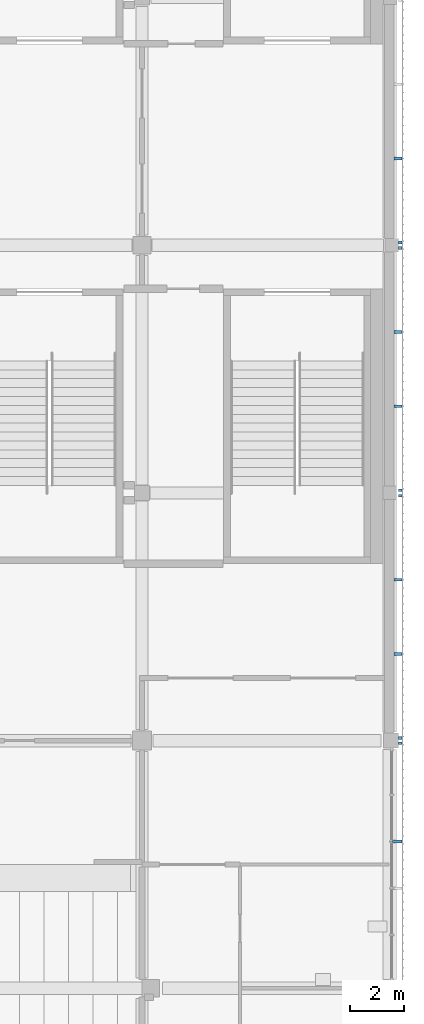
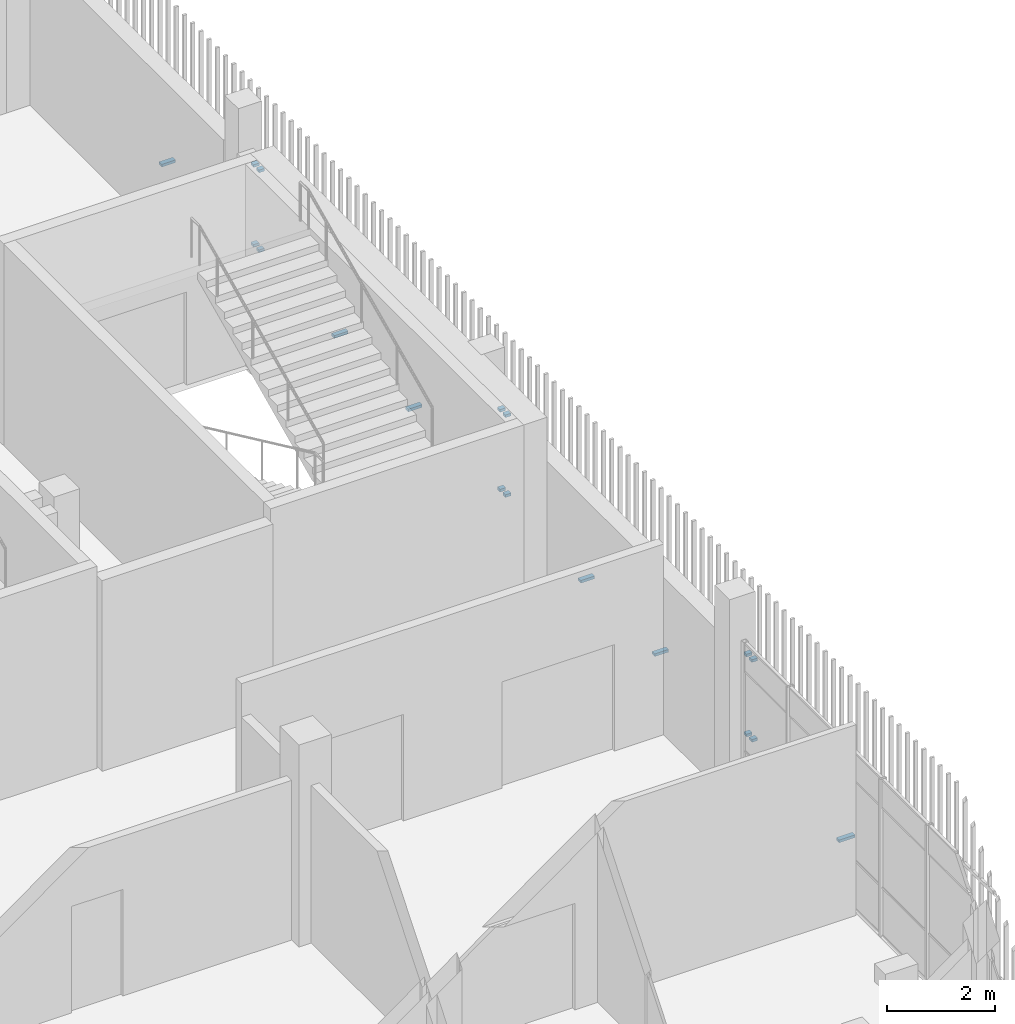
# One storey, part 111 of 139: 18 discrete accessories.
"""IFC4 building model written with IfcOpenShell, lengths in metres."""

import ifcopenshell
import ifcopenshell.guid

model = None  # the IFC model being written
_history = None  # IfcOwnerHistory: only IFC2X3 demands one
_inside = {}  # id of a spatial element -> (the spatial element, [elements in it])
_under = {}  # id of a project, library or spatial element -> (it, [spatial elements below it])
_declared = {}  # id of a project -> (the project, [libraries it declares])
_typed = {}  # id of a type object -> (the type object, [elements of that type])
_made_of = {}  # id of a material, layer set ... -> (it, [elements and type objects made of it])


def new_model(schema):
    """Start an empty IFC model of exactly this schema.

    Asked for "IFC4X3", IfcOpenShell would pick the latest addendum, in which some entities
    have other attributes; the version numbers below select the first issue.
    IFC2X3 requires an IfcOwnerHistory on every rooted entity: one is made here for all.
    """
    global model, _history
    if schema == "IFC4X3":
        model = ifcopenshell.file(schema_version=(4, 3, 0, 0))
    else:
        model = ifcopenshell.file(schema=schema)
    _inside.clear()
    _under.clear()
    _declared.clear()
    _typed.clear()
    _made_of.clear()
    _history = None
    if model.schema == "IFC2X3":
        org = make("IfcOrganization", Name="unknown")
        user = make(
            "IfcPersonAndOrganization",
            ThePerson=make("IfcPerson", FamilyName="unknown"),
            TheOrganization=org,
        )
        app = make(
            "IfcApplication",
            ApplicationDeveloper=org,
            Version="unknown",
            ApplicationFullName="unknown",
            ApplicationIdentifier="unknown",
        )
        _history = make(
            "IfcOwnerHistory",
            OwningUser=user,
            OwningApplication=app,
            ChangeAction="ADDED",
            CreationDate=0,
        )
    return model


def make(cls, **values):
    """One entity of the class cls with the attributes given. An attribute that is None is left unset."""
    return model.create_entity(
        cls, **{name: value for name, value in values.items() if value is not None}
    )


def rooted(cls, **values):
    """An entity with a GlobalId (a new one), such as an element, a storey or a relation."""
    return make(cls, GlobalId=ifcopenshell.guid.new(), OwnerHistory=_history, **values)


def si_unit(unit_type, name, prefix=None):
    """IfcSIUnit, for example si_unit("LENGTHUNIT", "METRE", prefix="MILLI")."""
    return make("IfcSIUnit", UnitType=unit_type, Prefix=prefix, Name=name)


def assignment(units):
    """IfcUnitAssignment: the units of a project."""
    return None if units is None else make("IfcUnitAssignment", Units=units)


def point(xyz):
    """IfcCartesianPoint."""
    return None if xyz is None else make("IfcCartesianPoint", Coordinates=xyz)


def direction(xyz):
    """IfcDirection."""
    return None if xyz is None else make("IfcDirection", DirectionRatios=xyz)


def frame(location, z_axis=None, x_axis=None):
    """IfcAxis2Placement3D, a coordinate frame: its origin and axes. An axis left out is left unset."""
    return make(
        "IfcAxis2Placement3D",
        Location=point(location),
        Axis=direction(z_axis),
        RefDirection=direction(x_axis),
    )


def frame_2d(location, x_axis=None):
    """IfcAxis2Placement2D, a coordinate frame in the plane: its origin and x axis."""
    return make(
        "IfcAxis2Placement2D", Location=point(location), RefDirection=direction(x_axis)
    )


def origin():
    """The frame at (0, 0, 0) with its axes left unset."""
    return frame((0.0, 0.0, 0.0))


def origin_2d():
    """The frame at (0, 0) in the plane with its x axis left unset."""
    return frame_2d((0.0, 0.0))


def place(relative_to, where):
    """IfcLocalPlacement: puts the frame where relative to a parent placement (None: the world)."""
    return make(
        "IfcLocalPlacement", PlacementRelTo=relative_to, RelativePlacement=where
    )


def context(
    kind, dimensions, precision=None, world=None, true_north=None, identifier=None
):
    """IfcGeometricRepresentationContext, for example the 3D "Model" context."""
    return make(
        "IfcGeometricRepresentationContext",
        ContextIdentifier=identifier,
        ContextType=kind,
        CoordinateSpaceDimension=dimensions,
        Precision=precision,
        WorldCoordinateSystem=world,
        TrueNorth=true_north,
    )


def subcontext(parent, identifier, kind, view, scale=None):
    """IfcGeometricRepresentationSubContext, for example "Body" below "Model"."""
    return make(
        "IfcGeometricRepresentationSubContext",
        ContextIdentifier=identifier,
        ContextType=kind,
        ParentContext=parent,
        TargetScale=scale,
        TargetView=view,
    )


def project(units=None, contexts=None):
    """IfcProject with its units and contexts."""
    return rooted(
        "IfcProject",
        Name="project",
        RepresentationContexts=contexts,
        UnitsInContext=assignment(units),
    )


def spatial(cls, under=None, at=None, **own):
    """A site, building, storey or space (cls), placed at a placement, below another one or the project."""
    s = rooted(cls, ObjectPlacement=at, **own)
    if under is not None:
        _under.setdefault(under.id(), (under, []))[1].append(s)
    return s


def profile(cls, at=None, kind="AREA", **sizes):
    """A parametric profile (cls). Its sizes go by their IFC names, for example OverallWidth=200.0."""
    return make(cls, ProfileType=kind, Position=at, **sizes)


def rectangle(**sizes):
    """IfcRectangleProfileDef."""
    return profile("IfcRectangleProfileDef", **sizes)


def extrude(swept, where, along, depth):
    """IfcExtrudedAreaSolid: the profile swept, set in the frame where, extruded along a direction by depth."""
    return make(
        "IfcExtrudedAreaSolid",
        SweptArea=swept,
        Position=where,
        ExtrudedDirection=direction(along),
        Depth=depth,
    )


def shape(context_of_items, identifier, shape_type, items):
    """IfcShapeRepresentation: the items that make up one representation, for example the "Body"."""
    return make(
        "IfcShapeRepresentation",
        ContextOfItems=context_of_items,
        RepresentationIdentifier=identifier,
        RepresentationType=shape_type,
        Items=items,
    )


def material(Name=None, Category=None):
    """IfcMaterial."""
    return make("IfcMaterial", Name=Name, Category=Category)


def made_of(thing, what):
    """Note that an element or type object is made of a material, layer set ...; save() writes the relation."""
    if what is not None:
        _made_of.setdefault(what.id(), (what, []))[1].append(thing)
    return thing


def type_object(cls, material=None, **own):
    """A type object (cls), such as IfcWallType, which elements share."""
    return made_of(rooted(cls, **own), material)


def element(
    cls,
    number,
    at=None,
    inside=None,
    cuts=None,
    type_object=None,
    material=None,
    context=None,
    identifier="Body",
    shape_type=None,
    held_by="IfcProductDefinitionShape",
    body=None,
    shapes=None,
    **own,
):
    """One element of the class cls, such as IfcWall. Its Tag is "e" and its number.

    at: its placement. inside: the storey or other place that contains it. cuts: it is an
    opening in that element (IfcRelVoidsElement). A single representation is given by context,
    identifier, shape_type and body (its items); several are given by shapes. held_by: the class
    of the entity that holds the representations. save() writes the other relations.
    """
    e = rooted(cls, Tag="e%d" % number, ObjectPlacement=at, **own)
    if body is not None:
        shapes = [shape(context, identifier, shape_type, body)]
    if shapes is not None:
        e.Representation = make(held_by, Representations=shapes)
    if inside is not None:
        _inside.setdefault(inside.id(), (inside, []))[1].append(e)
    if cuts is not None:
        rooted(
            "IfcRelVoidsElement", RelatingBuildingElement=cuts, RelatedOpeningElement=e
        )
    if type_object is not None:
        _typed.setdefault(type_object.id(), (type_object, []))[1].append(e)
    return made_of(e, material)


def aggregate(whole, parts):
    """IfcRelAggregates: a whole, such as a stair, and the parts it consists of."""
    return rooted("IfcRelAggregates", RelatingObject=whole, RelatedObjects=parts)


def save(model, path):
    """Write the relations noted so far, then the file.

    IfcRelAggregates (storeys below a building ...), IfcRelContainedInSpatialStructure (elements
    in a storey), IfcRelDefinesByType, IfcRelAssociatesMaterial and IfcRelDeclares: one each for
    every whole, place, type object, material and project.
    """
    for whole, parts in _under.values():
        aggregate(whole, parts)
    for where, things in _inside.values():
        rooted(
            "IfcRelContainedInSpatialStructure",
            RelatedElements=things,
            RelatingStructure=where,
        )
    for kind, things in _typed.values():
        rooted("IfcRelDefinesByType", RelatedObjects=things, RelatingType=kind)
    for what, things in _made_of.values():
        rooted("IfcRelAssociatesMaterial", RelatedObjects=things, RelatingMaterial=what)
    for by, libraries in _declared.values():
        rooted("IfcRelDeclares", RelatingContext=by, RelatedDefinitions=libraries)
    model.write(path)


model = new_model("IFC4")

# Units and contexts
model_context = context("Model", 3, precision=1e-05, world=origin(), true_north=direction((0.0, 1.0)))
body_context = subcontext(model_context, "Body", "Model", "MODEL_VIEW")
ifc_project = project(units=[si_unit("LENGTHUNIT", "METRE"), si_unit("AREAUNIT", "SQUARE_METRE"), si_unit("VOLUMEUNIT", "CUBIC_METRE"), si_unit("PLANEANGLEUNIT", "RADIAN"), si_unit("MASSUNIT", "GRAM", prefix="KILO")], contexts=[model_context])

# Site, building, storey
site_placement = place(None, origin())
site = spatial("IfcSite", under=ifc_project, at=site_placement, CompositionType="ELEMENT")
building_placement = place(site_placement, origin())
building = spatial("IfcBuilding", under=site, at=building_placement, Name="Shirokan Park Arena", CompositionType="ELEMENT")
storey_placement = place(building_placement, frame((0.0, 0.0, 15.469970703125)))
storey = spatial("IfcBuildingStorey", under=building, at=storey_placement, Name="L03", CompositionType="ELEMENT", Elevation=15.469970703125)

# Discrete accessories
ifc_material = material(Name="Steel S355", Category="steel")
discrete_accessory_type = type_object("IfcDiscreteAccessoryType", Name="Veil bracket 100x60", PredefinedType="BRACKET", material=ifc_material)
for number, where, z_axis, x_axis, name in (
    (1, (145.985107421875, 72.699951171875, 1.070068359375), (0.0, 0.0, 1.0), (0.0, 1.0, 0.0), "Veil bracket east bay 8 L03 2"),
    (2, (145.985107421875, 72.699951171875, 2.8701171875), (0.0, 0.0, 1.0), (0.0, 1.0, 0.0), "Veil bracket east bay 8 L03 4"),
):
    element("IfcDiscreteAccessory", number, at=place(storey_placement, frame(where, z_axis=z_axis, x_axis=x_axis)), inside=storey, type_object=discrete_accessory_type, Name=name, PredefinedType="BRACKET", context=body_context, shape_type="SweptSolid", body=[
        extrude(rectangle(XDim=0.10009765625, YDim=0.1201171875, at=origin_2d()), origin(), (0.0, 0.0, 1.0), 0.06005859375),
    ])
discrete_accessory_1_placement = place(storey_placement, frame((145.87255859375, 69.094970703125, 1.070068359375), z_axis=(0.0, 0.0, 1.0), x_axis=(0.0, 1.0, 0.0)))
element("IfcDiscreteAccessory", 3, at=discrete_accessory_1_placement, inside=storey, type_object=discrete_accessory_type, Name="Veil bracket east bay 8 L03 wall 2", PredefinedType="BRACKET", context=body_context, shape_type="SweptSolid", body=[
    extrude(rectangle(XDim=0.10009765625, YDim=0.344970703125, at=origin_2d()), origin(), (0.0, 0.0, 1.0), 0.06005859375),
])
for number, where, z_axis, x_axis, name in (
    (4, (145.985107421875, 72.89990234375, 1.070068359375), (0.0, 0.0, 1.0), (0.0, 1.0, 0.0), "Veil bracket east bay 9 L03 1"),
    (5, (145.985107421875, 81.800048828125, 1.070068359375), (0.0, 0.0, 1.0), (0.0, 1.0, 0.0), "Veil bracket east bay 9 L03 2"),
    (6, (145.985107421875, 72.89990234375, 2.8701171875), (0.0, 0.0, 1.0), (0.0, 1.0, 0.0), "Veil bracket east bay 9 L03 3"),
    (7, (145.985107421875, 81.800048828125, 2.8701171875), (0.0, 0.0, 1.0), (0.0, 1.0, 0.0), "Veil bracket east bay 9 L03 4"),
):
    element("IfcDiscreteAccessory", number, at=place(storey_placement, frame(where, z_axis=z_axis, x_axis=x_axis)), inside=storey, type_object=discrete_accessory_type, Name=name, PredefinedType="BRACKET", context=body_context, shape_type="SweptSolid", body=[
        extrude(rectangle(XDim=0.10009765625, YDim=0.1201171875, at=origin_2d()), origin(), (0.0, 0.0, 1.0), 0.06005859375),
    ])
for number, where, z_axis, x_axis, name in (
    (8, (145.8974609375, 75.985107421875, 1.070068359375), (0.0, 0.0, 1.0), (0.0, 1.0, 0.0), "Veil bracket east bay 9 L03 wall 1"),
    (9, (145.8974609375, 78.715087890625, 1.070068359375), (0.0, 0.0, 1.0), (0.0, 1.0, 0.0), "Veil bracket east bay 9 L03 wall 2"),
):
    element("IfcDiscreteAccessory", number, at=place(storey_placement, frame(where, z_axis=z_axis, x_axis=x_axis)), inside=storey, type_object=discrete_accessory_type, Name=name, PredefinedType="BRACKET", context=body_context, shape_type="SweptSolid", body=[
        extrude(rectangle(XDim=0.10009765625, YDim=0.294921875, at=origin_2d()), origin(), (0.0, 0.0, 1.0), 0.06005859375),
    ])
for number, where, z_axis, x_axis, name in (
    (10, (145.985107421875, 82.0, 1.070068359375), (0.0, 0.0, 1.0), (0.0, 1.0, 0.0), "Veil bracket east bay 10 L03 1"),
    (11, (145.985107421875, 90.89990234375, 1.070068359375), (0.0, 0.0, 1.0), (0.0, 1.0, 0.0), "Veil bracket east bay 10 L03 2"),
    (12, (145.985107421875, 82.0, 2.8701171875), (0.0, 0.0, 1.0), (0.0, 1.0, 0.0), "Veil bracket east bay 10 L03 3"),
    (13, (145.985107421875, 90.89990234375, 2.8701171875), (0.0, 0.0, 1.0), (0.0, 1.0, 0.0), "Veil bracket east bay 10 L03 4"),
):
    element("IfcDiscreteAccessory", number, at=place(storey_placement, frame(where, z_axis=z_axis, x_axis=x_axis)), inside=storey, type_object=discrete_accessory_type, Name=name, PredefinedType="BRACKET", context=body_context, shape_type="SweptSolid", body=[
        extrude(rectangle(XDim=0.10009765625, YDim=0.1201171875, at=origin_2d()), origin(), (0.0, 0.0, 1.0), 0.06005859375),
    ])
for number, where, z_axis, x_axis, name in (
    (14, (145.8974609375, 85.0849609375, 1.070068359375), (0.0, 0.0, 1.0), (0.0, 1.0, 0.0), "Veil bracket east bay 10 L03 wall 1"),
    (15, (145.8974609375, 87.81494140625, 1.070068359375), (0.0, 0.0, 1.0), (0.0, 1.0, 0.0), "Veil bracket east bay 10 L03 wall 2"),
):
    element("IfcDiscreteAccessory", number, at=place(storey_placement, frame(where, z_axis=z_axis, x_axis=x_axis)), inside=storey, type_object=discrete_accessory_type, Name=name, PredefinedType="BRACKET", context=body_context, shape_type="SweptSolid", body=[
        extrude(rectangle(XDim=0.10009765625, YDim=0.294921875, at=origin_2d()), origin(), (0.0, 0.0, 1.0), 0.06005859375),
    ])
for number, where, z_axis, x_axis, name in (
    (16, (145.985107421875, 91.10009765625, 1.070068359375), (0.0, 0.0, 1.0), (0.0, 1.0, 0.0), "Veil bracket east bay 11 L03 1"),
    (17, (145.985107421875, 91.10009765625, 2.8701171875), (0.0, 0.0, 1.0), (0.0, 1.0, 0.0), "Veil bracket east bay 11 L03 3"),
):
    element("IfcDiscreteAccessory", number, at=place(storey_placement, frame(where, z_axis=z_axis, x_axis=x_axis)), inside=storey, type_object=discrete_accessory_type, Name=name, PredefinedType="BRACKET", context=body_context, shape_type="SweptSolid", body=[
        extrude(rectangle(XDim=0.10009765625, YDim=0.1201171875, at=origin_2d()), origin(), (0.0, 0.0, 1.0), 0.06005859375),
    ])
discrete_accessory_2_placement = place(storey_placement, frame((145.8974609375, 94.18505859375, 1.070068359375), z_axis=(0.0, 0.0, 1.0), x_axis=(0.0, 1.0, 0.0)))
element("IfcDiscreteAccessory", 18, at=discrete_accessory_2_placement, inside=storey, type_object=discrete_accessory_type, Name="Veil bracket east bay 11 L03 wall 1", PredefinedType="BRACKET", context=body_context, shape_type="SweptSolid", body=[
    extrude(rectangle(XDim=0.10009765625, YDim=0.294921875, at=origin_2d()), origin(), (0.0, 0.0, 1.0), 0.06005859375),
])

save(model, "model.ifc")
